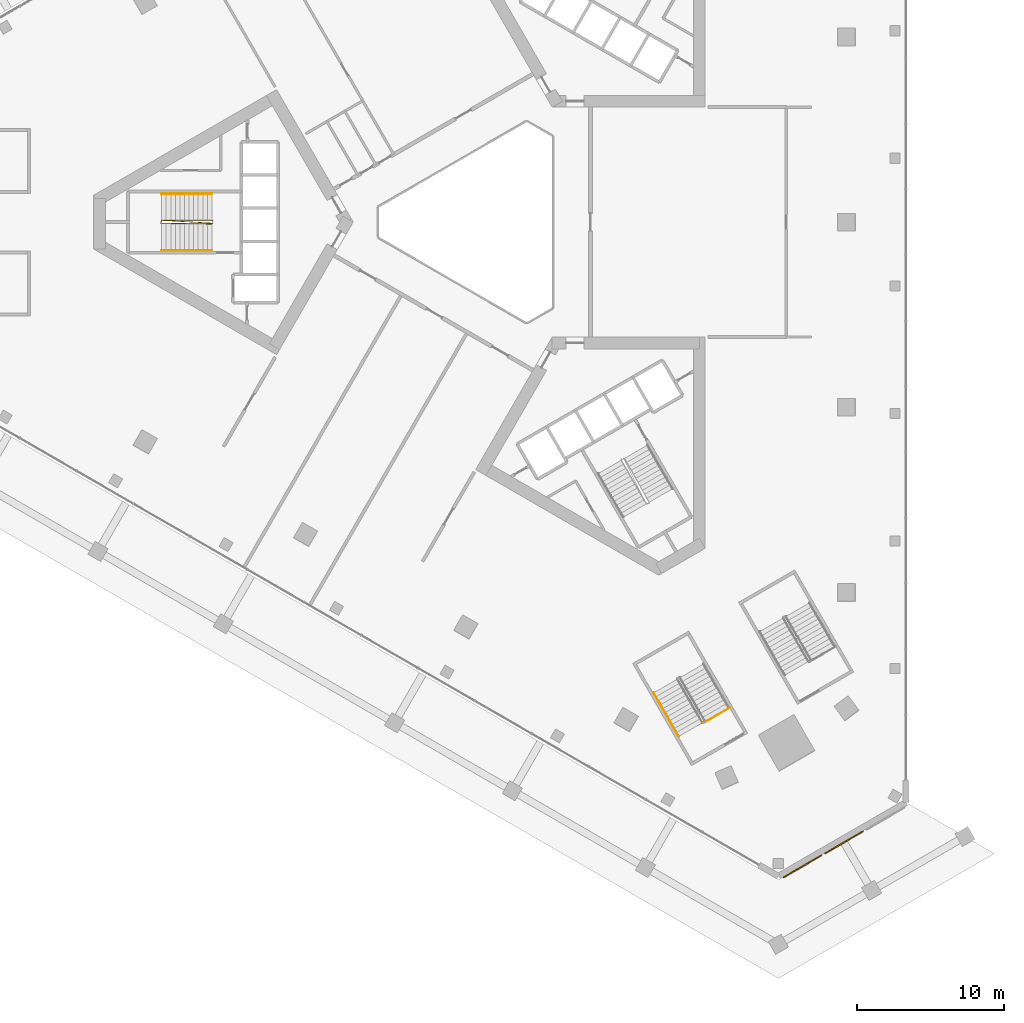
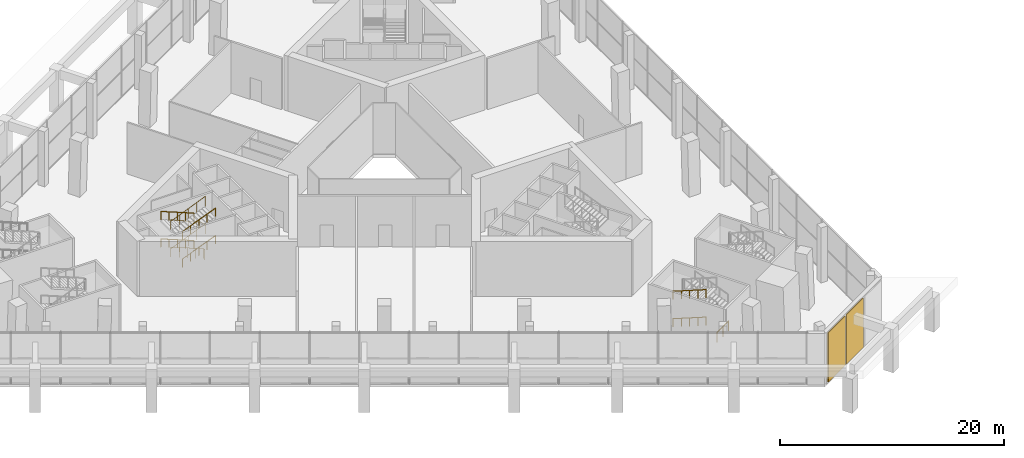
# One storey, part 41 of 51: 8 railings, 2 coverings.
"""IFC4 building model written with IfcOpenShell, lengths in metres."""

from ifc_helpers import new_model, si_unit, direction, frame, origin, origin_2d, place, context, subcontext, project, spatial, rectangle, circle, extrude, material, layer, layer_set, type_object, element, save


model = new_model("IFC4")

# Units and contexts
model_context = context("Model", 3, precision=1e-05, world=origin(), true_north=direction((0.0, 1.0)))
body_context = subcontext(model_context, "Body", "Model", "MODEL_VIEW")
ifc_project = project(units=[si_unit("LENGTHUNIT", "METRE"), si_unit("AREAUNIT", "SQUARE_METRE"), si_unit("VOLUMEUNIT", "CUBIC_METRE"), si_unit("PLANEANGLEUNIT", "RADIAN"), si_unit("MASSUNIT", "GRAM", prefix="KILO")], contexts=[model_context])

# Site, building, storey
site_placement = place(None, origin())
site = spatial("IfcSite", under=ifc_project, at=site_placement, CompositionType="ELEMENT")
building_placement = place(site_placement, origin())
building = spatial("IfcBuilding", under=site, at=building_placement, Name="Jabali Bay Hotel Tower and Convention Centre", CompositionType="ELEMENT")
storey_placement = place(building_placement, frame((0.0, 0.0, 9.0)))
storey = spatial("IfcBuildingStorey", under=building, at=storey_placement, Name="L01", CompositionType="ELEMENT", Elevation=9.0)

# Coverings
ifc_material_1 = material(Name="Precast concrete C40/50", Category="concrete")
ifc_layer = layer(ifc_material_1, 0.080078125)
ifc_layer_set = layer_set([ifc_layer], Name="Precast concrete C40/50")
covering_type = type_object("IfcCoveringType", Name="Relief panel 3000 x 5400", PredefinedType="CLADDING", material=ifc_layer_set)
for number, where, z_axis, x_axis, name in (
    (1, (99.289794921875, 37.9287109375, 0.10009765625), (0.0, 0.0, 1.0), (-0.866025402842, -0.500000001632, 0.0), "Relief panel L01"),
    (2, (96.475341796875, 36.3037109375, 0.10009765625), (0.0, 0.0, 1.0), (-0.866025402842, -0.500000001632, 0.0), "Relief panel L01"),
):
    element("IfcCovering", number, at=place(storey_placement, frame(where, z_axis=z_axis, x_axis=x_axis)), inside=storey, type_object=covering_type, Name=name, PredefinedType="CLADDING", context=body_context, shape_type="SweptSolid", body=[
        extrude(rectangle(XDim=3.0, YDim=0.080078125, at=origin_2d()), origin(), (0.0, 0.0, 1.0), 5.39990234375),
    ])

# Railings
ifc_material_2 = material(Name="Steel Q355B", Category="steel")
railing_type_1 = type_object("IfcRailingType", Name="Stair guard 1100", PredefinedType="GUARDRAIL", material=ifc_material_2)
railing_1_placement = place(storey_placement, frame((56.469970703125, 80.074951171875, 0.0)))
element("IfcRailing", 3, at=railing_1_placement, inside=storey, type_object=railing_type_1, Name="L01 ST1 stair guard 1", PredefinedType="GUARDRAIL", context=body_context, shape_type="SweptSolid", body=[
    extrude(circle(Radius=0.02392578125, at=origin_2d()), frame((0.0, 0.0, 1.076171875), z_axis=(-0.34841279274, 0.34841279274, 0.870182194549), x_axis=(-0.707106781187, -0.707106781187, 0.0)), (0.0, 0.0, 1.0), 0.1435546875),
    extrude(circle(Radius=0.02392578125, at=origin_2d()), frame((-0.050048828125, 0.050048828125, 1.201171875), z_axis=(-0.92743812886, 0.0, 0.373976626458), x_axis=(0.0, -1.0, 0.0)), (0.0, 0.0, 1.0), 3.6767578125),
    extrude(circle(Radius=0.02392578125, at=origin_2d()), frame((-3.4599609375, 0.050048828125, 2.576171875), z_axis=(-0.242814311512, -0.970072785993, 0.0), x_axis=(0.970072785993, -0.242814311512, 0.0)), (0.0, 0.0, 1.0), 0.2060546875),
    extrude(circle(Radius=0.02392578125, at=origin_2d()), frame((-3.510009765625, -0.14990234375, 2.576171875), z_axis=(0.91740868943, -0.013270447455, 0.397725020312), x_axis=(0.014463629426, 0.999895396241, 0.0)), (0.0, 0.0, 1.0), 3.771484375),
    extrude(circle(Radius=0.02392578125, at=origin_2d()), frame((-0.050048828125, -0.199951171875, 4.076171875), z_axis=(0.707106781187, 0.707106781187, 0.0), x_axis=(-0.707106781187, 0.707106781187, 0.0)), (0.0, 0.0, 1.0), 0.07080078125),
    extrude(circle(Radius=0.02392578125, at=origin_2d()), frame((0.0, -0.14990234375, 4.076171875), z_axis=(-0.91620252241, 0.052947351528, 0.397202109631), x_axis=(-0.057693749292, -0.998334328415, 0.0)), (0.0, 0.0, 1.0), 3.7763671875),
    extrude(circle(Radius=0.02392578125, at=origin_2d()), frame((-3.4599609375, 0.050048828125, 5.576171875), z_axis=(-0.242814311512, -0.970072785993, 0.0), x_axis=(0.970072785993, -0.242814311512, 0.0)), (0.0, 0.0, 1.0), 0.2060546875),
    extrude(circle(Radius=0.02392578125, at=origin_2d()), frame((-3.510009765625, -0.14990234375, 5.576171875), z_axis=(0.91740868943, -0.013270447455, 0.397725020312), x_axis=(0.014463629426, 0.999895396241, 0.0)), (0.0, 0.0, 1.0), 3.771484375),
    extrude(circle(Radius=0.02099609375, at=origin_2d()), origin(), (0.0, 0.0, 1.0), 1.052001953125),
    extrude(circle(Radius=0.02099609375, at=origin_2d()), frame((-0.050048828125, 0.050048828125, 0.125)), (0.0, 0.0, 1.0), 1.052001953125),
    extrude(circle(Radius=0.02099609375, at=origin_2d()), frame((-0.902587890625, 0.050048828125, 0.46875)), (0.0, 0.0, 1.0), 1.052001953125),
    extrude(circle(Radius=0.02099609375, at=origin_2d()), frame((-1.7548828125, 0.050048828125, 0.8125)), (0.0, 0.0, 1.0), 1.052001953125),
    extrude(circle(Radius=0.02099609375, at=origin_2d()), frame((-2.607421875, 0.050048828125, 1.15625)), (0.0, 0.0, 1.0), 1.052001953125),
    extrude(circle(Radius=0.02099609375, at=origin_2d()), frame((-3.4599609375, 0.050048828125, 1.5)), (0.0, 0.0, 1.0), 1.052001953125),
    extrude(circle(Radius=0.02099609375, at=origin_2d()), frame((-3.510009765625, -0.14990234375, 1.5)), (0.0, 0.0, 1.0), 1.052001953125),
    extrude(circle(Radius=0.02099609375, at=origin_2d()), frame((-2.64501953125, -0.162353515625, 1.875)), (0.0, 0.0, 1.0), 1.052001953125),
    extrude(circle(Radius=0.02099609375, at=origin_2d()), frame((-1.780029296875, -0.1748046875, 2.25)), (0.0, 0.0, 1.0), 1.052001953125),
    extrude(circle(Radius=0.02099609375, at=origin_2d()), frame((-0.9150390625, -0.1875, 2.625)), (0.0, 0.0, 1.0), 1.052001953125),
    extrude(circle(Radius=0.02099609375, at=origin_2d()), frame((-0.050048828125, -0.199951171875, 3.0)), (0.0, 0.0, 1.0), 1.052001953125),
    extrude(circle(Radius=0.02099609375, at=origin_2d()), frame((0.0, -0.14990234375, 3.0)), (0.0, 0.0, 1.0), 1.052001953125),
    extrude(circle(Radius=0.02099609375, at=origin_2d()), frame((-0.864990234375, -0.099853515625, 3.375)), (0.0, 0.0, 1.0), 1.052001953125),
    extrude(circle(Radius=0.02099609375, at=origin_2d()), frame((-1.72998046875, -0.0498046875, 3.75)), (0.0, 0.0, 1.0), 1.052001953125),
    extrude(circle(Radius=0.02099609375, at=origin_2d()), frame((-2.594970703125, 0.0, 4.125)), (0.0, 0.0, 1.0), 1.052001953125),
    extrude(circle(Radius=0.02099609375, at=origin_2d()), frame((-3.4599609375, 0.050048828125, 4.5)), (0.0, 0.0, 1.0), 1.052001953125),
    extrude(circle(Radius=0.02099609375, at=origin_2d()), frame((-3.510009765625, -0.14990234375, 4.5)), (0.0, 0.0, 1.0), 1.052001953125),
    extrude(circle(Radius=0.02099609375, at=origin_2d()), frame((-2.64501953125, -0.162353515625, 4.875)), (0.0, 0.0, 1.0), 1.052001953125),
    extrude(circle(Radius=0.02099609375, at=origin_2d()), frame((-1.780029296875, -0.1748046875, 5.25)), (0.0, 0.0, 1.0), 1.052001953125),
    extrude(circle(Radius=0.02099609375, at=origin_2d()), frame((-0.9150390625, -0.1875, 5.625)), (0.0, 0.0, 1.0), 1.052001953125),
    extrude(circle(Radius=0.02099609375, at=origin_2d()), frame((-0.050048828125, -0.199951171875, 6.0)), (0.0, 0.0, 1.0), 1.052001953125),
])
railing_2_placement = place(storey_placement, frame((91.5380859375, 47.05517578125, 0.0)))
element("IfcRailing", 4, at=railing_2_placement, inside=storey, type_object=railing_type_1, Name="L01 PS6 top well guard 1", PredefinedType="GUARDRAIL", context=body_context, shape_type="SweptSolid", body=[
    extrude(circle(Radius=0.02392578125, at=origin_2d()), frame((0.0, 0.0, 1.076171875), z_axis=(-0.866050731258, -0.499956128963, 0.0), x_axis=(0.499956128963, -0.866050731258, 0.0)), (0.0, 0.0, 1.0), 2.050048828125),
    extrude(circle(Radius=0.02099609375, at=origin_2d()), origin(), (0.0, 0.0, 1.0), 1.052001953125),
    extrude(circle(Radius=0.02099609375, at=origin_2d()), frame((-0.8876953125, -0.512451171875, 0.0)), (0.0, 0.0, 1.0), 1.052001953125),
    extrude(circle(Radius=0.02099609375, at=origin_2d()), frame((-1.775390625, -1.02490234375, 0.0)), (0.0, 0.0, 1.0), 1.052001953125),
])
railing_type_2 = type_object("IfcRailingType", Name="Stair handrail 900", PredefinedType="HANDRAIL", material=ifc_material_2)
railing_3_placement = place(storey_placement, frame((56.419921875, 81.925048828125, 0.125)))
element("IfcRailing", 5, at=railing_3_placement, inside=storey, type_object=railing_type_2, Name="L01 ST1 stair handrail 1", PredefinedType="HANDRAIL", context=body_context, shape_type="SweptSolid", body=[
    extrude(circle(Radius=0.02392578125, at=origin_2d()), frame((0.0, 0.0, 0.8759765625), z_axis=(-0.92743812886, 0.0, 0.373976626458), x_axis=(0.0, -1.0, 0.0)), (0.0, 0.0, 1.0), 3.6767578125),
    extrude(circle(Radius=0.02099609375, at=origin_2d()), origin(), (0.0, 0.0, 1.0), 0.851806640625),
    extrude(circle(Radius=0.02099609375, at=origin_2d()), frame((-0.8525390625, 0.0, 0.34375)), (0.0, 0.0, 1.0), 0.851806640625),
    extrude(circle(Radius=0.02099609375, at=origin_2d()), frame((-1.705078125, 0.0, 0.6875)), (0.0, 0.0, 1.0), 0.851806640625),
    extrude(circle(Radius=0.02099609375, at=origin_2d()), frame((-2.557373046875, 0.0, 1.03125)), (0.0, 0.0, 1.0), 0.851806640625),
    extrude(circle(Radius=0.02099609375, at=origin_2d()), frame((-3.409912109375, 0.0, 1.375)), (0.0, 0.0, 1.0), 0.851806640625),
])
railing_4_placement = place(storey_placement, frame((53.010009765625, 78.074951171875, 1.625)))
element("IfcRailing", 6, at=railing_4_placement, inside=storey, type_object=railing_type_2, Name="L01 ST1 stair handrail 2", PredefinedType="HANDRAIL", context=body_context, shape_type="SweptSolid", body=[
    extrude(circle(Radius=0.02392578125, at=origin_2d()), frame((0.0, 0.0, 0.8759765625), z_axis=(0.92743812886, 0.0, 0.373976626458), x_axis=(0.0, 1.0, 0.0)), (0.0, 0.0, 1.0), 3.6767578125),
    extrude(circle(Radius=0.02099609375, at=origin_2d()), origin(), (0.0, 0.0, 1.0), 0.851806640625),
    extrude(circle(Radius=0.02099609375, at=origin_2d()), frame((0.8525390625, 0.0, 0.34375)), (0.0, 0.0, 1.0), 0.851806640625),
    extrude(circle(Radius=0.02099609375, at=origin_2d()), frame((1.705078125, 0.0, 0.6875)), (0.0, 0.0, 1.0), 0.851806640625),
    extrude(circle(Radius=0.02099609375, at=origin_2d()), frame((2.557373046875, 0.0, 1.03125)), (0.0, 0.0, 1.0), 0.851806640625),
    extrude(circle(Radius=0.02099609375, at=origin_2d()), frame((3.409912109375, 0.0, 1.375)), (0.0, 0.0, 1.0), 0.851806640625),
])
railing_5_placement = place(storey_placement, frame((56.419921875, 81.925048828125, 3.125)))
element("IfcRailing", 7, at=railing_5_placement, inside=storey, type_object=railing_type_2, Name="L01 ST1 stair handrail 3", PredefinedType="HANDRAIL", context=body_context, shape_type="SweptSolid", body=[
    extrude(circle(Radius=0.02392578125, at=origin_2d()), frame((0.0, 0.0, 0.8759765625), z_axis=(-0.92743812886, 0.0, 0.373976626458), x_axis=(0.0, -1.0, 0.0)), (0.0, 0.0, 1.0), 3.6767578125),
    extrude(circle(Radius=0.02099609375, at=origin_2d()), origin(), (0.0, 0.0, 1.0), 0.851806640625),
    extrude(circle(Radius=0.02099609375, at=origin_2d()), frame((-0.8525390625, 0.0, 0.34375)), (0.0, 0.0, 1.0), 0.851806640625),
    extrude(circle(Radius=0.02099609375, at=origin_2d()), frame((-1.705078125, 0.0, 0.6875)), (0.0, 0.0, 1.0), 0.851806640625),
    extrude(circle(Radius=0.02099609375, at=origin_2d()), frame((-2.557373046875, 0.0, 1.03125)), (0.0, 0.0, 1.0), 0.851806640625),
    extrude(circle(Radius=0.02099609375, at=origin_2d()), frame((-3.409912109375, 0.0, 1.375)), (0.0, 0.0, 1.0), 0.851806640625),
])
railing_6_placement = place(storey_placement, frame((53.010009765625, 78.074951171875, 4.625)))
element("IfcRailing", 8, at=railing_6_placement, inside=storey, type_object=railing_type_2, Name="L01 ST1 stair handrail 4", PredefinedType="HANDRAIL", context=body_context, shape_type="SweptSolid", body=[
    extrude(circle(Radius=0.02392578125, at=origin_2d()), frame((0.0, 0.0, 0.8759765625), z_axis=(0.92743812886, 0.0, 0.373976626458), x_axis=(0.0, 1.0, 0.0)), (0.0, 0.0, 1.0), 3.6767578125),
    extrude(circle(Radius=0.02099609375, at=origin_2d()), origin(), (0.0, 0.0, 1.0), 0.851806640625),
    extrude(circle(Radius=0.02099609375, at=origin_2d()), frame((0.8525390625, 0.0, 0.34375)), (0.0, 0.0, 1.0), 0.851806640625),
    extrude(circle(Radius=0.02099609375, at=origin_2d()), frame((1.705078125, 0.0, 0.6875)), (0.0, 0.0, 1.0), 0.851806640625),
    extrude(circle(Radius=0.02099609375, at=origin_2d()), frame((2.557373046875, 0.0, 1.03125)), (0.0, 0.0, 1.0), 0.851806640625),
    extrude(circle(Radius=0.02099609375, at=origin_2d()), frame((3.409912109375, 0.0, 1.375)), (0.0, 0.0, 1.0), 0.851806640625),
])
for number, where, name in (
    (9, (86.38720703125, 48.07666015625, 1.625), "L01 PS6 stair handrail 2"),
    (10, (86.38720703125, 48.07666015625, 4.625), "L01 PS6 stair handrail 4"),
):
    element("IfcRailing", number, at=place(storey_placement, frame(where)), inside=storey, type_object=railing_type_2, Name=name, PredefinedType="HANDRAIL", context=body_context, shape_type="SweptSolid", body=[
        extrude(circle(Radius=0.02392578125, at=origin_2d()), frame((0.0, 0.0, 0.8759765625), z_axis=(0.463739605653, -0.803177873708, 0.373966417388), x_axis=(0.866013897511, 0.50001992892, 0.0)), (0.0, 0.0, 1.0), 3.6767578125),
        extrude(circle(Radius=0.02099609375, at=origin_2d()), origin(), (0.0, 0.0, 1.0), 0.851806640625),
        extrude(circle(Radius=0.02099609375, at=origin_2d()), frame((0.42626953125, -0.73828125, 0.34375)), (0.0, 0.0, 1.0), 0.851806640625),
        extrude(circle(Radius=0.02099609375, at=origin_2d()), frame((0.8525390625, -1.4765625, 0.6875)), (0.0, 0.0, 1.0), 0.851806640625),
        extrude(circle(Radius=0.02099609375, at=origin_2d()), frame((1.27880859375, -2.21484375, 1.03125)), (0.0, 0.0, 1.0), 0.851806640625),
        extrude(circle(Radius=0.02099609375, at=origin_2d()), frame((1.705078125, -2.953125, 1.375)), (0.0, 0.0, 1.0), 0.851806640625),
    ])

save(model, "model.ifc")
